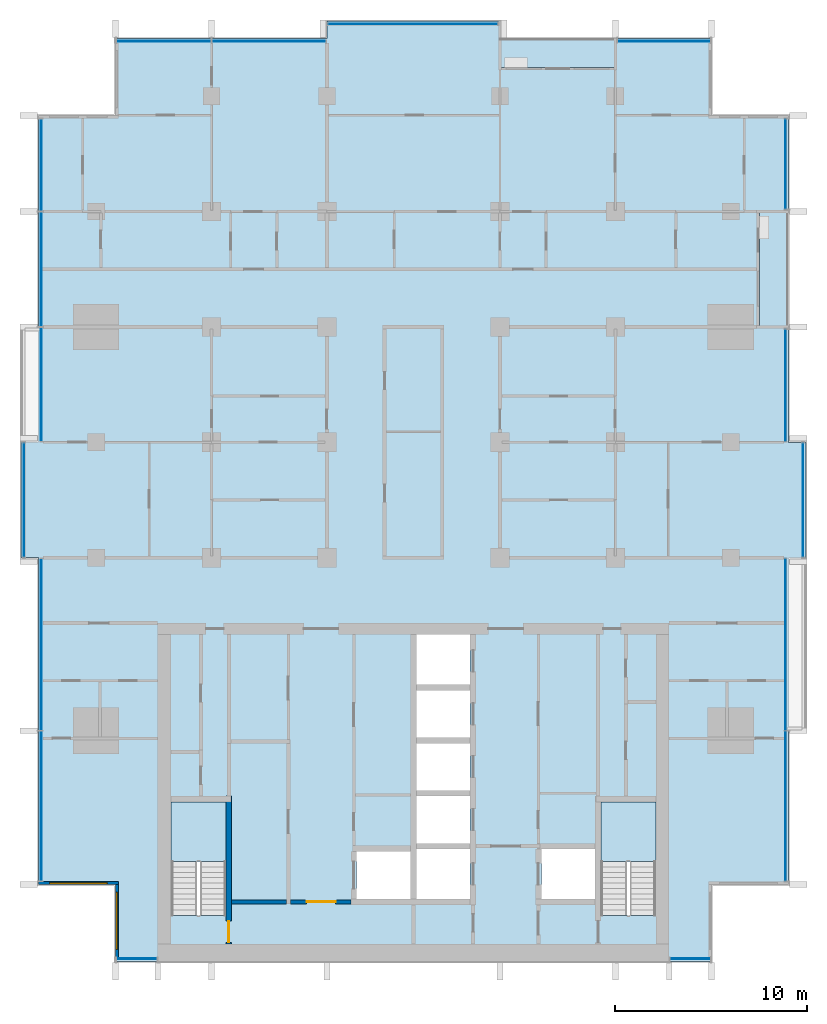
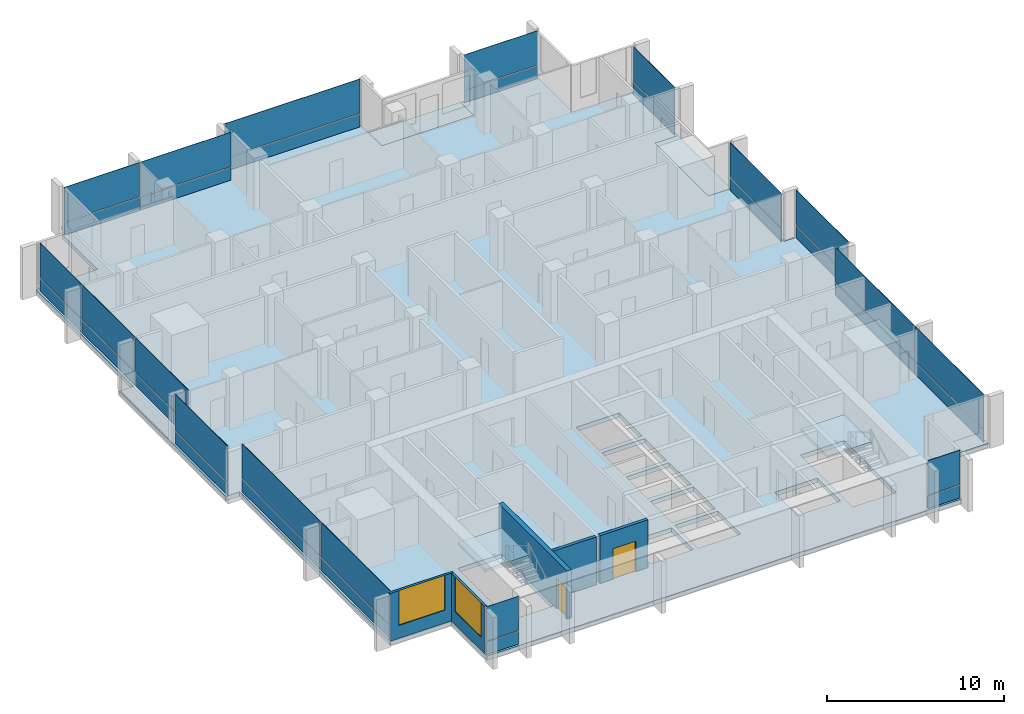
# One storey, part 6 of 17: 34 plates, 5 slabs, 5 walls, 2 doors, 2 windows, 4 openings, 14 elements without a shape of their own.
"""IFC4 building model written with IfcOpenShell, lengths in metres."""

import ifcopenshell
import ifcopenshell.guid

model = None  # the IFC model being written
_history = None  # IfcOwnerHistory: only IFC2X3 demands one
_inside = {}  # id of a spatial element -> (the spatial element, [elements in it])
_under = {}  # id of a project, library or spatial element -> (it, [spatial elements below it])
_declared = {}  # id of a project -> (the project, [libraries it declares])
_typed = {}  # id of a type object -> (the type object, [elements of that type])
_made_of = {}  # id of a material, layer set ... -> (it, [elements and type objects made of it])


def new_model(schema):
    """Start an empty IFC model of exactly this schema.

    Asked for "IFC4X3", IfcOpenShell would pick the latest addendum, in which some entities
    have other attributes; the version numbers below select the first issue.
    IFC2X3 requires an IfcOwnerHistory on every rooted entity: one is made here for all.
    """
    global model, _history
    if schema == "IFC4X3":
        model = ifcopenshell.file(schema_version=(4, 3, 0, 0))
    else:
        model = ifcopenshell.file(schema=schema)
    _inside.clear()
    _under.clear()
    _declared.clear()
    _typed.clear()
    _made_of.clear()
    _history = None
    if model.schema == "IFC2X3":
        org = make("IfcOrganization", Name="unknown")
        user = make(
            "IfcPersonAndOrganization",
            ThePerson=make("IfcPerson", FamilyName="unknown"),
            TheOrganization=org,
        )
        app = make(
            "IfcApplication",
            ApplicationDeveloper=org,
            Version="unknown",
            ApplicationFullName="unknown",
            ApplicationIdentifier="unknown",
        )
        _history = make(
            "IfcOwnerHistory",
            OwningUser=user,
            OwningApplication=app,
            ChangeAction="ADDED",
            CreationDate=0,
        )
    return model


def make(cls, **values):
    """One entity of the class cls with the attributes given. An attribute that is None is left unset."""
    return model.create_entity(
        cls, **{name: value for name, value in values.items() if value is not None}
    )


def rooted(cls, **values):
    """An entity with a GlobalId (a new one), such as an element, a storey or a relation."""
    return make(cls, GlobalId=ifcopenshell.guid.new(), OwnerHistory=_history, **values)


def si_unit(unit_type, name, prefix=None):
    """IfcSIUnit, for example si_unit("LENGTHUNIT", "METRE", prefix="MILLI")."""
    return make("IfcSIUnit", UnitType=unit_type, Prefix=prefix, Name=name)


def assignment(units):
    """IfcUnitAssignment: the units of a project."""
    return None if units is None else make("IfcUnitAssignment", Units=units)


def point(xyz):
    """IfcCartesianPoint."""
    return None if xyz is None else make("IfcCartesianPoint", Coordinates=xyz)


def direction(xyz):
    """IfcDirection."""
    return None if xyz is None else make("IfcDirection", DirectionRatios=xyz)


def frame(location, z_axis=None, x_axis=None):
    """IfcAxis2Placement3D, a coordinate frame: its origin and axes. An axis left out is left unset."""
    return make(
        "IfcAxis2Placement3D",
        Location=point(location),
        Axis=direction(z_axis),
        RefDirection=direction(x_axis),
    )


def frame_2d(location, x_axis=None):
    """IfcAxis2Placement2D, a coordinate frame in the plane: its origin and x axis."""
    return make(
        "IfcAxis2Placement2D", Location=point(location), RefDirection=direction(x_axis)
    )


def origin():
    """The frame at (0, 0, 0) with its axes left unset."""
    return frame((0.0, 0.0, 0.0))


def origin_2d():
    """The frame at (0, 0) in the plane with its x axis left unset."""
    return frame_2d((0.0, 0.0))


def place(relative_to, where):
    """IfcLocalPlacement: puts the frame where relative to a parent placement (None: the world)."""
    return make(
        "IfcLocalPlacement", PlacementRelTo=relative_to, RelativePlacement=where
    )


def context(
    kind, dimensions, precision=None, world=None, true_north=None, identifier=None
):
    """IfcGeometricRepresentationContext, for example the 3D "Model" context."""
    return make(
        "IfcGeometricRepresentationContext",
        ContextIdentifier=identifier,
        ContextType=kind,
        CoordinateSpaceDimension=dimensions,
        Precision=precision,
        WorldCoordinateSystem=world,
        TrueNorth=true_north,
    )


def subcontext(parent, identifier, kind, view, scale=None):
    """IfcGeometricRepresentationSubContext, for example "Body" below "Model"."""
    return make(
        "IfcGeometricRepresentationSubContext",
        ContextIdentifier=identifier,
        ContextType=kind,
        ParentContext=parent,
        TargetScale=scale,
        TargetView=view,
    )


def project(units=None, contexts=None):
    """IfcProject with its units and contexts."""
    return rooted(
        "IfcProject",
        Name="project",
        RepresentationContexts=contexts,
        UnitsInContext=assignment(units),
    )


def spatial(cls, under=None, at=None, **own):
    """A site, building, storey or space (cls), placed at a placement, below another one or the project."""
    s = rooted(cls, ObjectPlacement=at, **own)
    if under is not None:
        _under.setdefault(under.id(), (under, []))[1].append(s)
    return s


def polyline(points):
    """IfcPolyline through the points."""
    return make("IfcPolyline", Points=[point(p) for p in points])


def profile(cls, at=None, kind="AREA", **sizes):
    """A parametric profile (cls). Its sizes go by their IFC names, for example OverallWidth=200.0."""
    return make(cls, ProfileType=kind, Position=at, **sizes)


def rectangle(**sizes):
    """IfcRectangleProfileDef."""
    return profile("IfcRectangleProfileDef", **sizes)


def outline(outer, holes=None, kind="AREA"):
    """IfcArbitraryClosedProfileDef: a profile drawn as a closed curve; with holes, ...WithVoids."""
    if holes is None:
        return make("IfcArbitraryClosedProfileDef", ProfileType=kind, OuterCurve=outer)
    return make(
        "IfcArbitraryProfileDefWithVoids",
        ProfileType=kind,
        OuterCurve=outer,
        InnerCurves=holes,
    )


def extrude(swept, where, along, depth):
    """IfcExtrudedAreaSolid: the profile swept, set in the frame where, extruded along a direction by depth."""
    return make(
        "IfcExtrudedAreaSolid",
        SweptArea=swept,
        Position=where,
        ExtrudedDirection=direction(along),
        Depth=depth,
    )


def shape(context_of_items, identifier, shape_type, items):
    """IfcShapeRepresentation: the items that make up one representation, for example the "Body"."""
    return make(
        "IfcShapeRepresentation",
        ContextOfItems=context_of_items,
        RepresentationIdentifier=identifier,
        RepresentationType=shape_type,
        Items=items,
    )


def material(Name=None, Category=None):
    """IfcMaterial."""
    return make("IfcMaterial", Name=Name, Category=Category)


def layer(
    of_material, thickness, ventilated=None, Name=None, Category=None, Priority=None
):
    """IfcMaterialLayer: one layer of a wall or slab, of a material (None: an air gap)."""
    return make(
        "IfcMaterialLayer",
        Material=of_material,
        LayerThickness=thickness,
        IsVentilated=ventilated,
        Name=Name,
        Category=Category,
        Priority=Priority,
    )


def layer_set(layers, Name=None):
    """IfcMaterialLayerSet."""
    return make("IfcMaterialLayerSet", MaterialLayers=layers, LayerSetName=Name)


def made_of(thing, what):
    """Note that an element or type object is made of a material, layer set ...; save() writes the relation."""
    if what is not None:
        _made_of.setdefault(what.id(), (what, []))[1].append(thing)
    return thing


def type_object(cls, material=None, **own):
    """A type object (cls), such as IfcWallType, which elements share."""
    return made_of(rooted(cls, **own), material)


def element(
    cls,
    number,
    at=None,
    inside=None,
    cuts=None,
    type_object=None,
    material=None,
    context=None,
    identifier="Body",
    shape_type=None,
    held_by="IfcProductDefinitionShape",
    body=None,
    shapes=None,
    **own,
):
    """One element of the class cls, such as IfcWall. Its Tag is "e" and its number.

    at: its placement. inside: the storey or other place that contains it. cuts: it is an
    opening in that element (IfcRelVoidsElement). A single representation is given by context,
    identifier, shape_type and body (its items); several are given by shapes. held_by: the class
    of the entity that holds the representations. save() writes the other relations.
    """
    e = rooted(cls, Tag="e%d" % number, ObjectPlacement=at, **own)
    if body is not None:
        shapes = [shape(context, identifier, shape_type, body)]
    if shapes is not None:
        e.Representation = make(held_by, Representations=shapes)
    if inside is not None:
        _inside.setdefault(inside.id(), (inside, []))[1].append(e)
    if cuts is not None:
        rooted(
            "IfcRelVoidsElement", RelatingBuildingElement=cuts, RelatedOpeningElement=e
        )
    if type_object is not None:
        _typed.setdefault(type_object.id(), (type_object, []))[1].append(e)
    return made_of(e, material)


def fill(opening, filler):
    """IfcRelFillsElement: the door or window that sits in an opening."""
    return rooted(
        "IfcRelFillsElement",
        RelatingOpeningElement=opening,
        RelatedBuildingElement=filler,
    )


def aggregate(whole, parts):
    """IfcRelAggregates: a whole, such as a stair, and the parts it consists of."""
    return rooted("IfcRelAggregates", RelatingObject=whole, RelatedObjects=parts)


def save(model, path):
    """Write the relations noted so far, then the file.

    IfcRelAggregates (storeys below a building ...), IfcRelContainedInSpatialStructure (elements
    in a storey), IfcRelDefinesByType, IfcRelAssociatesMaterial and IfcRelDeclares: one each for
    every whole, place, type object, material and project.
    """
    for whole, parts in _under.values():
        aggregate(whole, parts)
    for where, things in _inside.values():
        rooted(
            "IfcRelContainedInSpatialStructure",
            RelatedElements=things,
            RelatingStructure=where,
        )
    for kind, things in _typed.values():
        rooted("IfcRelDefinesByType", RelatedObjects=things, RelatingType=kind)
    for what, things in _made_of.values():
        rooted("IfcRelAssociatesMaterial", RelatedObjects=things, RelatingMaterial=what)
    for by, libraries in _declared.values():
        rooted("IfcRelDeclares", RelatingContext=by, RelatedDefinitions=libraries)
    model.write(path)


model = new_model("IFC4")

# Units and contexts
model_context = context("Model", 3, precision=1e-05, world=origin(), true_north=direction((0.0, 1.0)))
body_context = subcontext(model_context, "Body", "Model", "MODEL_VIEW")
ifc_project = project(units=[si_unit("LENGTHUNIT", "METRE"), si_unit("AREAUNIT", "SQUARE_METRE"), si_unit("VOLUMEUNIT", "CUBIC_METRE"), si_unit("PLANEANGLEUNIT", "RADIAN"), si_unit("MASSUNIT", "GRAM", prefix="KILO")], contexts=[model_context])

# Site, building, storey
site_placement = place(None, origin())
site = spatial("IfcSite", under=ifc_project, at=site_placement, CompositionType="ELEMENT")
building_placement = place(site_placement, origin())
building = spatial("IfcBuilding", under=site, at=building_placement, Name="Finial Court Residences", CompositionType="ELEMENT")
storey_placement = place(building_placement, frame((0.0, 0.0, 170.89990234375)))
storey = spatial("IfcBuildingStorey", under=building, at=storey_placement, Name="L42", CompositionType="ELEMENT", Elevation=170.89990234375)

# Slabs
ifc_material_1 = material(Name="Concrete C35/45", Category="concrete")
ifc_layer_1 = layer(ifc_material_1, 0.199951171875)
ifc_layer_set_1 = layer_set([ifc_layer_1], Name="Balcony slab, Concrete C35/45 200")
slab_type_1 = type_object("IfcSlabType", Name="Balcony slab, Concrete C35/45 200", PredefinedType="FLOOR", material=ifc_layer_set_1)
slab_1_placement = place(storey_placement, frame((0.0, 0.0, -0.199951171875)))
element("IfcSlab", 1, at=slab_1_placement, inside=storey, type_object=slab_type_1, Name="Balcony L42-N4", PredefinedType="FLOOR", context=body_context, shape_type="SweptSolid", body=[
    extrude(outline(polyline([(10.5, 21.0), (10.5, 22.5), (4.5, 22.5), (4.5, 21.0), (10.5, 21.0)])), origin(), (0.0, 0.0, 1.0), 0.199951171875),
])
slab_2_placement = place(storey_placement, frame((0.0, 0.0, -0.199951171875)))
element("IfcSlab", 2, at=slab_2_placement, inside=storey, type_object=slab_type_1, Name="Balcony L42-E5", PredefinedType="FLOOR", context=body_context, shape_type="SweptSolid", body=[
    extrude(outline(polyline([(19.5, 7.5), (19.5, 13.5), (18.0, 13.5), (18.0, 7.5), (19.5, 7.5)])), origin(), (0.0, 0.0, 1.0), 0.199951171875),
])

# Curtain wall, plates
ifc_material_2 = material(Name="Bronze anodised aluminium", Category="aluminium")
curtain_wall_type = type_object("IfcCurtainWallType", Name="Unitised curtain wall, upper zones", PredefinedType="NOTDEFINED", material=ifc_material_2)
curtain_wall_1_placement = place(storey_placement, origin())
curtain_wall_1 = element("IfcCurtainWall", 3, at=curtain_wall_1_placement, inside=storey, type_object=curtain_wall_type, Name="E-L42-CW-N1", PredefinedType="NOTDEFINED")
ifc_layer_2 = layer(ifc_material_2, 0.035888671875)
ifc_layer_set_2 = layer_set([ifc_layer_2], Name="CW2 spandrel panel 36")
plate_type_1 = type_object("IfcPlateType", Name="CW2 spandrel panel 36", PredefinedType="CURTAIN_PANEL", material=ifc_layer_set_2)
plate_1_placement = place(storey_placement, frame((-12.985107421875, 22.35009765625, 0.0), z_axis=(0.0, 0.0, 1.0), x_axis=(1.0, 0.0, 0.0)))
plate_1 = element("IfcPlate", 4, at=plate_1_placement, type_object=plate_type_1, Name="CW2 spandrel 1.1", PredefinedType="CURTAIN_PANEL", context=body_context, shape_type="SweptSolid", body=[
    extrude(rectangle(XDim=4.909912109375, YDim=0.035888671875, at=origin_2d()), origin(), (0.0, 0.0, 1.0), 0.8701171875),
])
plate_2_placement = place(storey_placement, frame((-7.514892578125, 22.35009765625, 0.0), z_axis=(0.0, 0.0, 1.0), x_axis=(1.0, 0.0, 0.0)))
plate_2 = element("IfcPlate", 5, at=plate_2_placement, type_object=plate_type_1, Name="CW2 spandrel 2.1", PredefinedType="CURTAIN_PANEL", context=body_context, shape_type="SweptSolid", body=[
    extrude(rectangle(XDim=5.909912109375, YDim=0.035888671875, at=origin_2d()), origin(), (0.0, 0.0, 1.0), 0.8701171875),
])

# Curtain wall, plate
curtain_wall_2_placement = place(storey_placement, origin())
curtain_wall_2 = element("IfcCurtainWall", 6, at=curtain_wall_2_placement, inside=storey, type_object=curtain_wall_type, Name="E-L42-CW-N2", PredefinedType="NOTDEFINED")
plate_3_placement = place(storey_placement, frame((-0.03759765625, 23.25, 0.0), z_axis=(0.0, 0.0, 1.0), x_axis=(1.0, 0.0, 0.0)))
plate_3 = element("IfcPlate", 7, at=plate_3_placement, type_object=plate_type_1, Name="CW2 spandrel 1.1", PredefinedType="CURTAIN_PANEL", context=body_context, shape_type="SweptSolid", body=[
    extrude(rectangle(XDim=8.804931640625, YDim=0.035888671875, at=origin_2d()), origin(), (0.0, 0.0, 1.0), 0.8701171875),
])

curtain_wall_3_placement = place(storey_placement, origin())
curtain_wall_3 = element("IfcCurtainWall", 8, at=curtain_wall_3_placement, inside=storey, type_object=curtain_wall_type, Name="E-L42-CW-N3", PredefinedType="NOTDEFINED")
plate_4_placement = place(storey_placement, frame((13.03759765625, 22.35009765625, 0.0), z_axis=(0.0, 0.0, 1.0), x_axis=(1.0, 0.0, 0.0)))
plate_4 = element("IfcPlate", 9, at=plate_4_placement, type_object=plate_type_1, Name="CW2 spandrel 1.1", PredefinedType="CURTAIN_PANEL", context=body_context, shape_type="SweptSolid", body=[
    extrude(rectangle(XDim=4.804931640625, YDim=0.035888671875, at=origin_2d()), origin(), (0.0, 0.0, 1.0), 0.8701171875),
])

# Curtain wall, plates
curtain_wall_4_placement = place(storey_placement, origin())
curtain_wall_4 = element("IfcCurtainWall", 10, at=curtain_wall_4_placement, inside=storey, type_object=curtain_wall_type, Name="E-L42-CW-E4", PredefinedType="NOTDEFINED")
plate_5_placement = place(storey_placement, frame((19.35009765625, -17.409912109375, 0.0), z_axis=(0.0, 0.0, 1.0), x_axis=(0.0, 1.0, 0.0)))
plate_5 = element("IfcPlate", 11, at=plate_5_placement, type_object=plate_type_1, Name="CW2 spandrel 1.1", PredefinedType="CURTAIN_PANEL", context=body_context, shape_type="SweptSolid", body=[
    extrude(rectangle(XDim=7.760009765625, YDim=0.035888671875, at=origin_2d()), origin(), (0.0, 0.0, 1.0), 0.8701171875),
])
plate_6_placement = place(storey_placement, frame((19.35009765625, -9.014892578125, 0.0), z_axis=(0.0, 0.0, 1.0), x_axis=(0.0, 1.0, 0.0)))
plate_6 = element("IfcPlate", 12, at=plate_6_placement, type_object=plate_type_1, Name="CW2 spandrel 2.1", PredefinedType="CURTAIN_PANEL", context=body_context, shape_type="SweptSolid", body=[
    extrude(rectangle(XDim=8.909912109375, YDim=0.035888671875, at=origin_2d()), origin(), (0.0, 0.0, 1.0), 0.8701171875),
])

# Curtain wall, plate
curtain_wall_5_placement = place(storey_placement, origin())
curtain_wall_5 = element("IfcCurtainWall", 13, at=curtain_wall_5_placement, inside=storey, type_object=curtain_wall_type, Name="E-L42-CW-E5", PredefinedType="NOTDEFINED")
plate_7_placement = place(storey_placement, frame((20.25, -1.5, 0.0), z_axis=(0.0, 0.0, 1.0), x_axis=(0.0, 1.0, 0.0)))
plate_7 = element("IfcPlate", 14, at=plate_7_placement, type_object=plate_type_1, Name="CW2 spandrel 1.1", PredefinedType="CURTAIN_PANEL", context=body_context, shape_type="SweptSolid", body=[
    extrude(rectangle(XDim=5.8798828125, YDim=0.035888671875, at=origin_2d()), origin(), (0.0, 0.0, 1.0), 0.8701171875),
])

curtain_wall_6_placement = place(storey_placement, origin())
curtain_wall_6 = element("IfcCurtainWall", 15, at=curtain_wall_6_placement, inside=storey, type_object=curtain_wall_type, Name="E-L42-CW-E6", PredefinedType="NOTDEFINED")
plate_8_placement = place(storey_placement, frame((19.35009765625, 4.46240234375, 0.0), z_axis=(0.0, 0.0, 1.0), x_axis=(0.0, 1.0, 0.0)))
plate_8 = element("IfcPlate", 16, at=plate_8_placement, type_object=plate_type_1, Name="CW2 spandrel 1.1", PredefinedType="CURTAIN_PANEL", context=body_context, shape_type="SweptSolid", body=[
    extrude(rectangle(XDim=5.804931640625, YDim=0.035888671875, at=origin_2d()), origin(), (0.0, 0.0, 1.0), 0.8701171875),
])

curtain_wall_7_placement = place(storey_placement, origin())
curtain_wall_7 = element("IfcCurtainWall", 17, at=curtain_wall_7_placement, inside=storey, type_object=curtain_wall_type, Name="E-L42-CW-E7", PredefinedType="NOTDEFINED")
plate_9_placement = place(storey_placement, frame((19.35009765625, 15.96240234375, 0.0), z_axis=(0.0, 0.0, 1.0), x_axis=(0.0, 1.0, 0.0)))
plate_9 = element("IfcPlate", 18, at=plate_9_placement, type_object=plate_type_1, Name="CW2 spandrel 1.1", PredefinedType="CURTAIN_PANEL", context=body_context, shape_type="SweptSolid", body=[
    extrude(rectangle(XDim=4.655029296875, YDim=0.035888671875, at=origin_2d()), origin(), (0.0, 0.0, 1.0), 0.8701171875),
])

curtain_wall_8_placement = place(storey_placement, origin())
curtain_wall_8 = element("IfcCurtainWall", 19, at=curtain_wall_8_placement, inside=storey, type_object=curtain_wall_type, Name="E-L42-CW-S8", PredefinedType="NOTDEFINED")
plate_10_placement = place(storey_placement, frame((-14.39990234375, -25.35009765625, 0.0), z_axis=(0.0, 0.0, 1.0), x_axis=(1.0, 0.0, 0.0)))
plate_10 = element("IfcPlate", 20, at=plate_10_placement, type_object=plate_type_1, Name="CW2 spandrel 1.1", PredefinedType="CURTAIN_PANEL", context=body_context, shape_type="SweptSolid", body=[
    extrude(rectangle(XDim=2.080078125, YDim=0.035888671875, at=origin_2d()), origin(), (0.0, 0.0, 1.0), 0.8701171875),
])

curtain_wall_9_placement = place(storey_placement, origin())
curtain_wall_9 = element("IfcCurtainWall", 21, at=curtain_wall_9_placement, inside=storey, type_object=curtain_wall_type, Name="E-L42-CW-S9", PredefinedType="NOTDEFINED")
plate_11_placement = place(storey_placement, frame((14.39990234375, -25.35009765625, 0.0), z_axis=(0.0, 0.0, 1.0), x_axis=(1.0, 0.0, 0.0)))
plate_11 = element("IfcPlate", 22, at=plate_11_placement, type_object=plate_type_1, Name="CW2 spandrel 1.1", PredefinedType="CURTAIN_PANEL", context=body_context, shape_type="SweptSolid", body=[
    extrude(rectangle(XDim=2.080078125, YDim=0.035888671875, at=origin_2d()), origin(), (0.0, 0.0, 1.0), 0.8701171875),
])

# Curtain wall, plates
curtain_wall_10_placement = place(storey_placement, origin())
curtain_wall_10 = element("IfcCurtainWall", 23, at=curtain_wall_10_placement, inside=storey, type_object=curtain_wall_type, Name="E-L42-CW-W10", PredefinedType="NOTDEFINED")
plate_12_placement = place(storey_placement, frame((-19.35009765625, -17.409912109375, 0.0), z_axis=(0.0, 0.0, 1.0), x_axis=(0.0, 1.0, 0.0)))
plate_12 = element("IfcPlate", 24, at=plate_12_placement, type_object=plate_type_1, Name="CW2 spandrel 1.1", PredefinedType="CURTAIN_PANEL", context=body_context, shape_type="SweptSolid", body=[
    extrude(rectangle(XDim=7.760009765625, YDim=0.035888671875, at=origin_2d()), origin(), (0.0, 0.0, 1.0), 0.8701171875),
])
plate_13_placement = place(storey_placement, frame((-19.35009765625, -9.014892578125, 0.0), z_axis=(0.0, 0.0, 1.0), x_axis=(0.0, 1.0, 0.0)))
plate_13 = element("IfcPlate", 25, at=plate_13_placement, type_object=plate_type_1, Name="CW2 spandrel 2.1", PredefinedType="CURTAIN_PANEL", context=body_context, shape_type="SweptSolid", body=[
    extrude(rectangle(XDim=8.909912109375, YDim=0.035888671875, at=origin_2d()), origin(), (0.0, 0.0, 1.0), 0.8701171875),
])

# Curtain wall, plate
curtain_wall_11_placement = place(storey_placement, origin())
curtain_wall_11 = element("IfcCurtainWall", 26, at=curtain_wall_11_placement, inside=storey, type_object=curtain_wall_type, Name="E-L42-CW-W11", PredefinedType="NOTDEFINED")
plate_14_placement = place(storey_placement, frame((-20.25, -1.5, 0.0), z_axis=(0.0, 0.0, 1.0), x_axis=(0.0, 1.0, 0.0)))
plate_14 = element("IfcPlate", 27, at=plate_14_placement, type_object=plate_type_1, Name="CW2 spandrel 1.1", PredefinedType="CURTAIN_PANEL", context=body_context, shape_type="SweptSolid", body=[
    extrude(rectangle(XDim=5.8798828125, YDim=0.035888671875, at=origin_2d()), origin(), (0.0, 0.0, 1.0), 0.8701171875),
])

# Curtain wall, plates
curtain_wall_12_placement = place(storey_placement, origin())
curtain_wall_12 = element("IfcCurtainWall", 28, at=curtain_wall_12_placement, inside=storey, type_object=curtain_wall_type, Name="E-L42-CW-W12", PredefinedType="NOTDEFINED")
plate_15_placement = place(storey_placement, frame((-19.35009765625, 4.514892578125, 0.0), z_axis=(0.0, 0.0, 1.0), x_axis=(0.0, 1.0, 0.0)))
plate_15 = element("IfcPlate", 29, at=plate_15_placement, type_object=plate_type_1, Name="CW2 spandrel 1.1", PredefinedType="CURTAIN_PANEL", context=body_context, shape_type="SweptSolid", body=[
    extrude(rectangle(XDim=5.909912109375, YDim=0.035888671875, at=origin_2d()), origin(), (0.0, 0.0, 1.0), 0.8701171875),
])
plate_16_placement = place(storey_placement, frame((-19.35009765625, 10.5, 0.0), z_axis=(0.0, 0.0, 1.0), x_axis=(0.0, 1.0, 0.0)))
plate_16 = element("IfcPlate", 30, at=plate_16_placement, type_object=plate_type_1, Name="CW2 spandrel 2.1", PredefinedType="CURTAIN_PANEL", context=body_context, shape_type="SweptSolid", body=[
    extrude(rectangle(XDim=5.93994140625, YDim=0.035888671875, at=origin_2d()), origin(), (0.0, 0.0, 1.0), 0.8701171875),
])
plate_17_placement = place(storey_placement, frame((-19.35009765625, 15.909912109375, 0.0), z_axis=(0.0, 0.0, 1.0), x_axis=(0.0, 1.0, 0.0)))
plate_17 = element("IfcPlate", 31, at=plate_17_placement, type_object=plate_type_1, Name="CW2 spandrel 3.1", PredefinedType="CURTAIN_PANEL", context=body_context, shape_type="SweptSolid", body=[
    extrude(rectangle(XDim=4.760009765625, YDim=0.035888671875, at=origin_2d()), origin(), (0.0, 0.0, 1.0), 0.8701171875),
])

# Plate
ifc_material_3 = material(Name="Clear low-e glass", Category="glass")
ifc_layer_3 = layer(ifc_material_3, 0.030029296875)
ifc_layer_set_3 = layer_set([ifc_layer_3], Name="CW2 vision glass 30")
plate_type_2 = type_object("IfcPlateType", Name="CW2 vision glass 30", PredefinedType="CURTAIN_PANEL", material=ifc_layer_set_3)
plate_18_placement = place(storey_placement, frame((-12.985107421875, 22.35009765625, 0.929931640625), z_axis=(0.0, 0.0, 1.0), x_axis=(1.0, 0.0, 0.0)))
plate_18 = element("IfcPlate", 32, at=plate_18_placement, type_object=plate_type_2, Name="CW2 glass 1.2", PredefinedType="CURTAIN_PANEL", context=body_context, shape_type="SweptSolid", body=[
    extrude(rectangle(XDim=4.909912109375, YDim=0.030029296875, at=origin_2d()), origin(), (0.0, 0.0, 1.0), 2.3701171875),
])

plate_19_placement = place(storey_placement, frame((-7.514892578125, 22.35009765625, 0.929931640625), z_axis=(0.0, 0.0, 1.0), x_axis=(1.0, 0.0, 0.0)))
plate_19 = element("IfcPlate", 33, at=plate_19_placement, type_object=plate_type_2, Name="CW2 glass 2.2", PredefinedType="CURTAIN_PANEL", context=body_context, shape_type="SweptSolid", body=[
    extrude(rectangle(XDim=5.909912109375, YDim=0.030029296875, at=origin_2d()), origin(), (0.0, 0.0, 1.0), 2.3701171875),
])

aggregate(curtain_wall_1, [plate_1, plate_18, plate_2, plate_19])

plate_20_placement = place(storey_placement, frame((-0.03759765625, 23.25, 0.929931640625), z_axis=(0.0, 0.0, 1.0), x_axis=(1.0, 0.0, 0.0)))
plate_20 = element("IfcPlate", 34, at=plate_20_placement, type_object=plate_type_2, Name="CW2 glass 1.2", PredefinedType="CURTAIN_PANEL", context=body_context, shape_type="SweptSolid", body=[
    extrude(rectangle(XDim=8.804931640625, YDim=0.030029296875, at=origin_2d()), origin(), (0.0, 0.0, 1.0), 2.3701171875),
])

aggregate(curtain_wall_2, [plate_3, plate_20])

plate_21_placement = place(storey_placement, frame((13.03759765625, 22.35009765625, 0.929931640625), z_axis=(0.0, 0.0, 1.0), x_axis=(1.0, 0.0, 0.0)))
plate_21 = element("IfcPlate", 35, at=plate_21_placement, type_object=plate_type_2, Name="CW2 glass 1.2", PredefinedType="CURTAIN_PANEL", context=body_context, shape_type="SweptSolid", body=[
    extrude(rectangle(XDim=4.804931640625, YDim=0.030029296875, at=origin_2d()), origin(), (0.0, 0.0, 1.0), 2.3701171875),
])

aggregate(curtain_wall_3, [plate_4, plate_21])

plate_22_placement = place(storey_placement, frame((19.35009765625, -17.409912109375, 0.929931640625), z_axis=(0.0, 0.0, 1.0), x_axis=(0.0, 1.0, 0.0)))
plate_22 = element("IfcPlate", 36, at=plate_22_placement, type_object=plate_type_2, Name="CW2 glass 1.2", PredefinedType="CURTAIN_PANEL", context=body_context, shape_type="SweptSolid", body=[
    extrude(rectangle(XDim=7.760009765625, YDim=0.030029296875, at=origin_2d()), origin(), (0.0, 0.0, 1.0), 2.3701171875),
])

plate_23_placement = place(storey_placement, frame((19.35009765625, -9.014892578125, 0.929931640625), z_axis=(0.0, 0.0, 1.0), x_axis=(0.0, 1.0, 0.0)))
plate_23 = element("IfcPlate", 37, at=plate_23_placement, type_object=plate_type_2, Name="CW2 glass 2.2", PredefinedType="CURTAIN_PANEL", context=body_context, shape_type="SweptSolid", body=[
    extrude(rectangle(XDim=8.909912109375, YDim=0.030029296875, at=origin_2d()), origin(), (0.0, 0.0, 1.0), 2.3701171875),
])

aggregate(curtain_wall_4, [plate_5, plate_22, plate_6, plate_23])

plate_24_placement = place(storey_placement, frame((20.25, -1.5, 0.929931640625), z_axis=(0.0, 0.0, 1.0), x_axis=(0.0, 1.0, 0.0)))
plate_24 = element("IfcPlate", 38, at=plate_24_placement, type_object=plate_type_2, Name="CW2 glass 1.2", PredefinedType="CURTAIN_PANEL", context=body_context, shape_type="SweptSolid", body=[
    extrude(rectangle(XDim=5.8798828125, YDim=0.030029296875, at=origin_2d()), origin(), (0.0, 0.0, 1.0), 2.3701171875),
])

aggregate(curtain_wall_5, [plate_7, plate_24])

plate_25_placement = place(storey_placement, frame((19.35009765625, 4.46240234375, 0.929931640625), z_axis=(0.0, 0.0, 1.0), x_axis=(0.0, 1.0, 0.0)))
plate_25 = element("IfcPlate", 39, at=plate_25_placement, type_object=plate_type_2, Name="CW2 glass 1.2", PredefinedType="CURTAIN_PANEL", context=body_context, shape_type="SweptSolid", body=[
    extrude(rectangle(XDim=5.804931640625, YDim=0.030029296875, at=origin_2d()), origin(), (0.0, 0.0, 1.0), 2.3701171875),
])

aggregate(curtain_wall_6, [plate_8, plate_25])

plate_26_placement = place(storey_placement, frame((19.35009765625, 15.96240234375, 0.929931640625), z_axis=(0.0, 0.0, 1.0), x_axis=(0.0, 1.0, 0.0)))
plate_26 = element("IfcPlate", 40, at=plate_26_placement, type_object=plate_type_2, Name="CW2 glass 1.2", PredefinedType="CURTAIN_PANEL", context=body_context, shape_type="SweptSolid", body=[
    extrude(rectangle(XDim=4.655029296875, YDim=0.030029296875, at=origin_2d()), origin(), (0.0, 0.0, 1.0), 2.3701171875),
])

aggregate(curtain_wall_7, [plate_9, plate_26])

plate_27_placement = place(storey_placement, frame((-14.39990234375, -25.35009765625, 0.929931640625), z_axis=(0.0, 0.0, 1.0), x_axis=(1.0, 0.0, 0.0)))
plate_27 = element("IfcPlate", 41, at=plate_27_placement, type_object=plate_type_2, Name="CW2 glass 1.2", PredefinedType="CURTAIN_PANEL", context=body_context, shape_type="SweptSolid", body=[
    extrude(rectangle(XDim=2.080078125, YDim=0.030029296875, at=origin_2d()), origin(), (0.0, 0.0, 1.0), 2.3701171875),
])

aggregate(curtain_wall_8, [plate_10, plate_27])

plate_28_placement = place(storey_placement, frame((14.39990234375, -25.35009765625, 0.929931640625), z_axis=(0.0, 0.0, 1.0), x_axis=(1.0, 0.0, 0.0)))
plate_28 = element("IfcPlate", 42, at=plate_28_placement, type_object=plate_type_2, Name="CW2 glass 1.2", PredefinedType="CURTAIN_PANEL", context=body_context, shape_type="SweptSolid", body=[
    extrude(rectangle(XDim=2.080078125, YDim=0.030029296875, at=origin_2d()), origin(), (0.0, 0.0, 1.0), 2.3701171875),
])

aggregate(curtain_wall_9, [plate_11, plate_28])

plate_29_placement = place(storey_placement, frame((-19.35009765625, -17.409912109375, 0.929931640625), z_axis=(0.0, 0.0, 1.0), x_axis=(0.0, 1.0, 0.0)))
plate_29 = element("IfcPlate", 43, at=plate_29_placement, type_object=plate_type_2, Name="CW2 glass 1.2", PredefinedType="CURTAIN_PANEL", context=body_context, shape_type="SweptSolid", body=[
    extrude(rectangle(XDim=7.760009765625, YDim=0.030029296875, at=origin_2d()), origin(), (0.0, 0.0, 1.0), 2.3701171875),
])

plate_30_placement = place(storey_placement, frame((-19.35009765625, -9.014892578125, 0.929931640625), z_axis=(0.0, 0.0, 1.0), x_axis=(0.0, 1.0, 0.0)))
plate_30 = element("IfcPlate", 44, at=plate_30_placement, type_object=plate_type_2, Name="CW2 glass 2.2", PredefinedType="CURTAIN_PANEL", context=body_context, shape_type="SweptSolid", body=[
    extrude(rectangle(XDim=8.909912109375, YDim=0.030029296875, at=origin_2d()), origin(), (0.0, 0.0, 1.0), 2.3701171875),
])

aggregate(curtain_wall_10, [plate_12, plate_29, plate_13, plate_30])

plate_31_placement = place(storey_placement, frame((-20.25, -1.5, 0.93017578125), z_axis=(0.0, 0.0, 1.0), x_axis=(0.0, 1.0, 0.0)))
plate_31 = element("IfcPlate", 45, at=plate_31_placement, type_object=plate_type_2, Name="CW2 glass 1.2", PredefinedType="CURTAIN_PANEL", context=body_context, shape_type="SweptSolid", body=[
    extrude(rectangle(XDim=5.8798828125, YDim=0.030029296875, at=origin_2d()), origin(), (0.0, 0.0, 1.0), 2.469970703125),
])

aggregate(curtain_wall_11, [plate_14, plate_31])

plate_32_placement = place(storey_placement, frame((-19.35009765625, 4.514892578125, 0.929931640625), z_axis=(0.0, 0.0, 1.0), x_axis=(0.0, 1.0, 0.0)))
plate_32 = element("IfcPlate", 46, at=plate_32_placement, type_object=plate_type_2, Name="CW2 glass 1.2", PredefinedType="CURTAIN_PANEL", context=body_context, shape_type="SweptSolid", body=[
    extrude(rectangle(XDim=5.909912109375, YDim=0.030029296875, at=origin_2d()), origin(), (0.0, 0.0, 1.0), 2.3701171875),
])

plate_33_placement = place(storey_placement, frame((-19.35009765625, 10.5, 0.929931640625), z_axis=(0.0, 0.0, 1.0), x_axis=(0.0, 1.0, 0.0)))
plate_33 = element("IfcPlate", 47, at=plate_33_placement, type_object=plate_type_2, Name="CW2 glass 2.2", PredefinedType="CURTAIN_PANEL", context=body_context, shape_type="SweptSolid", body=[
    extrude(rectangle(XDim=5.93994140625, YDim=0.030029296875, at=origin_2d()), origin(), (0.0, 0.0, 1.0), 2.3701171875),
])

plate_34_placement = place(storey_placement, frame((-19.35009765625, 15.909912109375, 0.929931640625), z_axis=(0.0, 0.0, 1.0), x_axis=(0.0, 1.0, 0.0)))
plate_34 = element("IfcPlate", 48, at=plate_34_placement, type_object=plate_type_2, Name="CW2 glass 3.2", PredefinedType="CURTAIN_PANEL", context=body_context, shape_type="SweptSolid", body=[
    extrude(rectangle(XDim=4.760009765625, YDim=0.030029296875, at=origin_2d()), origin(), (0.0, 0.0, 1.0), 2.3701171875),
])

aggregate(curtain_wall_12, [plate_15, plate_32, plate_16, plate_33, plate_17, plate_34])

# Stair, slab
ifc_material_4 = material(Name="Concrete C50/60", Category="concrete")
stair_type = type_object("IfcStairType", Name="Exit stair 22 risers of 163.6 mm", PredefinedType="HALF_TURN_STAIR", material=ifc_material_4)
stair_1_placement = place(storey_placement, origin())
stair_1 = element("IfcStair", 49, at=stair_1_placement, inside=storey, type_object=stair_type, Name="L42 Exit stair ST-1", PredefinedType="HALF_TURN_STAIR")
ifc_layer_4 = layer(ifc_material_4, 0.199951171875)
ifc_layer_set_4 = layer_set([ifc_layer_4], Name="Exit stair landing")
slab_type_2 = type_object("IfcSlabType", Name="Exit stair landing", PredefinedType="LANDING", material=ifc_layer_set_4)
slab_3_placement = place(storey_placement, frame((0.0, 0.0, 1.60009765625)))
slab_3 = element("IfcSlab", 50, at=slab_3_placement, type_object=slab_type_2, Name="ST-1 landing 1", PredefinedType="LANDING", context=body_context, shape_type="SweptSolid", body=[
    extrude(outline(polyline([(-9.75, -20.300048828125), (-9.75, -17.199951171875), (-12.60009765625, -17.199951171875), (-12.60009765625, -20.300048828125), (-9.75, -20.300048828125)])), origin(), (0.0, 0.0, 1.0), 0.199951171875),
])
aggregate(stair_1, [slab_3])

stair_2_placement = place(storey_placement, origin())
stair_2 = element("IfcStair", 51, at=stair_2_placement, inside=storey, type_object=stair_type, Name="L42 Exit stair ST-2", PredefinedType="HALF_TURN_STAIR")
slab_4_placement = place(storey_placement, frame((0.0, 0.0, 1.60009765625)))
slab_4 = element("IfcSlab", 52, at=slab_4_placement, type_object=slab_type_2, Name="ST-2 landing 1", PredefinedType="LANDING", context=body_context, shape_type="SweptSolid", body=[
    extrude(outline(polyline([(12.60009765625, -20.300048828125), (12.60009765625, -17.199951171875), (9.75, -17.199951171875), (9.75, -20.300048828125), (12.60009765625, -20.300048828125)])), origin(), (0.0, 0.0, 1.0), 0.199951171875),
])
aggregate(stair_2, [slab_4])

# Slab
ifc_material_5 = material(Name="Concrete C40/50", Category="concrete")
ifc_layer_5 = layer(ifc_material_5, 0.300048828125)
ifc_layer_set_5 = layer_set([ifc_layer_5], Name="Flat plate slab 300 Concrete C40/50")
slab_type_3 = type_object("IfcSlabType", Name="Flat plate slab 300 Concrete C40/50", PredefinedType="FLOOR", material=ifc_layer_set_5)
slab_5_placement = place(storey_placement, frame((0.0, 0.0, -0.2998046875)))
element("IfcSlab", 53, at=slab_5_placement, inside=storey, type_object=slab_type_3, Name="S:SLAB:L42", PredefinedType="FLOOR", context=body_context, shape_type="SweptSolid", body=[
    extrude(outline(polyline([(20.39990234375, -13.5), (19.5, -13.5), (19.5, -21.5), (15.5, -21.5), (15.5, -25.5), (-15.5, -25.5), (-15.5, -21.5), (-19.5, -21.5), (-19.5, -4.5), (-20.39990234375, -4.5), (-20.39990234375, 1.5), (-20.39990234375, 7.5), (-19.5, 7.5), (-19.5, 18.5), (-15.5, 18.5), (-15.5, 22.5), (-4.5, 22.5), (-4.5, 23.39990234375), (4.5, 23.39990234375), (4.5, 22.5), (4.5, 21.0), (10.5, 21.0), (10.5, 22.5), (15.5, 22.5), (15.5, 18.5), (19.5, 18.5), (19.5, 13.5), (18.0, 13.5), (18.0, 7.5), (19.5, 7.5), (19.5, 1.5), (20.39990234375, 1.5), (20.39990234375, -4.5), (20.39990234375, -13.5)]), holes=[polyline([(-0.14990234375, -19.77001953125), (-2.949951171875, -19.77001953125), (-2.949951171875, -22.25), (-0.14990234375, -22.25), (-0.14990234375, -19.77001953125)]), polyline([(2.949951171875, -19.64990234375), (0.14990234375, -19.64990234375), (0.14990234375, -22.25), (2.949951171875, -22.25), (2.949951171875, -19.64990234375)]), polyline([(9.449951171875, -19.64990234375), (6.64990234375, -19.64990234375), (6.64990234375, -22.25), (9.449951171875, -22.25), (9.449951171875, -19.64990234375)]), polyline([(-12.60009765625, -17.199951171875), (-12.60009765625, -23.09912109375), (-9.75, -23.09912109375), (-9.75, -17.199951171875), (-12.60009765625, -17.199951171875)]), polyline([(9.75, -17.199951171875), (9.75, -23.09912109375), (12.60009765625, -23.09912109375), (12.60009765625, -17.199951171875), (9.75, -17.199951171875)]), polyline([(2.949951171875, -16.89990234375), (0.14990234375, -16.89990234375), (0.14990234375, -19.35009765625), (2.949951171875, -19.35009765625), (2.949951171875, -16.89990234375)]), polyline([(2.949951171875, -14.14990234375), (0.14990234375, -14.14990234375), (0.14990234375, -16.60009765625), (2.949951171875, -16.60009765625), (2.949951171875, -14.14990234375)]), polyline([(2.949951171875, -13.85009765625), (2.949951171875, -11.39990234375), (0.14990234375, -11.39990234375), (0.14990234375, -13.85009765625), (2.949951171875, -13.85009765625)]), polyline([(2.949951171875, -11.10009765625), (2.949951171875, -8.5), (0.14990234375, -8.5), (0.14990234375, -11.10009765625), (2.949951171875, -11.10009765625)])]), origin(), (0.0, 0.0, 1.0), 0.2998046875),
])

# Wall, opening, door
ifc_material_6 = material(Name="Concrete C70/85", Category="concrete")
ifc_layer_6 = layer(ifc_material_6, 0.300048828125)
ifc_layer_set_6 = layer_set([ifc_layer_6], Name="Lift shaft and stair wall 300 Concrete C70/85")
wall_type_1 = type_object("IfcWallType", Name="Lift shaft and stair wall 300 Concrete C70/85", PredefinedType="SHEAR", material=ifc_layer_set_6)
wall_1_placement = place(storey_placement, frame((-9.60009765625, -24.60009765625, 0.0), z_axis=(0.0, 0.0, 1.0), x_axis=(0.0, 1.0, 0.0)))
wall_1 = element("IfcWall", 54, at=wall_1_placement, inside=storey, type_object=wall_type_1, Name="Core wall L42-21", PredefinedType="SHEAR", context=body_context, shape_type="SweptSolid", body=[
    extrude(rectangle(XDim=7.7001953125, YDim=0.300048828125, at=frame_2d((3.85009765625, 0.0))), origin(), (0.0, 0.0, 1.0), 3.300048828125),
])
opening_1_placement = place(wall_1_placement, frame((0.10009765625, 0.0, 0.0)))
opening_1 = element("IfcOpeningElement", 55, at=opening_1_placement, cuts=wall_1, Name="Opening L42-C19", PredefinedType="OPENING", context=body_context, shape_type="SweptSolid", body=[
    extrude(rectangle(XDim=1.10009765625, YDim=2.10009765625, at=frame_2d((0.550048828125, 1.050048828125))), frame((0.0, 0.159912109375, 0.0), z_axis=(0.0, -1.0, 0.0), x_axis=(1.0, 0.0, 0.0)), (0.0, 0.0, 1.0), 0.320068359375),
])
ifc_material_7 = material(Name="Steel fire door", Category="steel")
door_type_1 = type_object("IfcDoorType", Name="Stair door 1100 x 2100 EI 90", OperationType="NOTDEFINED", PredefinedType="DOOR", material=ifc_material_7)
door_1_placement = place(opening_1_placement, origin())
door_1 = element("IfcDoor", 56, at=door_1_placement, inside=storey, type_object=door_type_1, Name="Stair door L42-C19", OperationType="SINGLE_SWING_LEFT", OverallHeight=2.10009765625, OverallWidth=1.10009765625, PredefinedType="DOOR", context=body_context, shape_type="SweptSolid", body=[
    extrude(rectangle(XDim=1.10009765625, YDim=2.10009765625, at=frame_2d((0.550048828125, 1.050048828125))), frame((0.0, 0.02490234375, 0.0), z_axis=(0.0, -1.0, 0.0), x_axis=(1.0, 0.0, 0.0)), (0.0, 0.0, 1.0), 0.050048828125),
])
fill(opening_1, door_1)

# Wall, opening, window
ifc_material_8 = material(Name="Natural limestone", Category="masonry")
ifc_layer_7 = layer(ifc_material_8, 0.14990234375)
ifc_layer_set_7 = layer_set([ifc_layer_7], Name="Limestone clad wall 150")
wall_type_2 = type_object("IfcWallType", Name="Limestone clad wall 150", PredefinedType="SOLIDWALL", material=ifc_layer_set_7)
wall_2_placement = place(storey_placement, frame((-15.425048828125, -25.262451171875, 0.0), z_axis=(0.0, 0.0, 1.0), x_axis=(0.0, 1.0, 0.0)))
wall_2 = element("IfcWall", 57, at=wall_2_placement, inside=storey, type_object=wall_type_2, Name="E-L42-NWW13", PredefinedType="SOLIDWALL", context=body_context, shape_type="SweptSolid", body=[
    extrude(rectangle(XDim=3.762451171875, YDim=0.14990234375, at=frame_2d((1.88134765625, 0.0))), origin(), (0.0, 0.0, 1.0), 3.300048828125),
])
opening_2_placement = place(wall_2_placement, frame((0.401123046875, 0.0, 0.89990234375)))
opening_2 = element("IfcOpeningElement", 58, at=opening_2_placement, cuts=wall_2, Name="Opening WE42-01", PredefinedType="OPENING", context=body_context, shape_type="SweptSolid", body=[
    extrude(rectangle(XDim=2.9599609375, YDim=2.39990234375, at=frame_2d((1.47998046875, 1.199951171875))), frame((0.0, 0.0849609375, 0.0), z_axis=(0.0, -1.0, 0.0), x_axis=(1.0, 0.0, 0.0)), (0.0, 0.0, 1.0), 0.169921875),
])
window_type_1 = type_object("IfcWindowType", Name="Corner window 2960 x 2400", PartitioningType="SINGLE_PANEL", PredefinedType="WINDOW", material=ifc_material_3)
window_1_placement = place(opening_2_placement, origin())
window_1 = element("IfcWindow", 59, at=window_1_placement, inside=storey, type_object=window_type_1, Name="E-L42-NWW13-W1", OverallHeight=2.39990234375, OverallWidth=2.9599609375, PartitioningType="SINGLE_PANEL", PredefinedType="WINDOW", context=body_context, shape_type="SweptSolid", body=[
    extrude(rectangle(XDim=2.9599609375, YDim=2.39990234375, at=frame_2d((1.47998046875, 1.199951171875))), frame((0.0, 0.030029296875, 0.0), z_axis=(0.0, -1.0, 0.0), x_axis=(1.0, 0.0, 0.0)), (0.0, 0.0, 1.0), 0.06005859375),
])
fill(opening_2, window_1)

wall_3_placement = place(storey_placement, frame((-15.35009765625, -21.425048828125, 0.0), z_axis=(0.0, 0.0, 1.0), x_axis=(-1.0, 0.0, 0.0)))
wall_3 = element("IfcWall", 60, at=wall_3_placement, inside=storey, type_object=wall_type_2, Name="E-L42-NWS14", PredefinedType="SOLIDWALL", context=body_context, shape_type="SweptSolid", body=[
    extrude(rectangle(XDim=4.14990234375, YDim=0.14990234375, at=frame_2d((2.074951171875, 0.0))), origin(), (0.0, 0.0, 1.0), 3.300048828125),
])
opening_3_placement = place(wall_3_placement, frame((0.574951171875, 0.0, 0.89990234375)))
opening_3 = element("IfcOpeningElement", 61, at=opening_3_placement, cuts=wall_3, Name="Opening WE42-02", PredefinedType="OPENING", context=body_context, shape_type="SweptSolid", body=[
    extrude(rectangle(XDim=3.0, YDim=2.39990234375, at=frame_2d((1.5, 1.199951171875))), frame((0.0, 0.0849609375, 0.0), z_axis=(0.0, -1.0, 0.0), x_axis=(1.0, 0.0, 0.0)), (0.0, 0.0, 1.0), 0.169921875),
])
window_type_2 = type_object("IfcWindowType", Name="Corner window 3000 x 2400", PartitioningType="SINGLE_PANEL", PredefinedType="WINDOW", material=ifc_material_3)
window_2_placement = place(opening_3_placement, origin())
window_2 = element("IfcWindow", 62, at=window_2_placement, inside=storey, type_object=window_type_2, Name="E-L42-NWS14-W1", OverallHeight=2.39990234375, OverallWidth=3.0, PartitioningType="SINGLE_PANEL", PredefinedType="WINDOW", context=body_context, shape_type="SweptSolid", body=[
    extrude(rectangle(XDim=3.0, YDim=2.39990234375, at=frame_2d((1.5, 1.199951171875))), frame((0.0, 0.030029296875, 0.0), z_axis=(0.0, -1.0, 0.0), x_axis=(1.0, 0.0, 0.0)), (0.0, 0.0, 1.0), 0.06005859375),
])
fill(opening_3, window_2)

# Wall
ifc_material_9 = material(Name="Fire-rated gypsum board partition")
ifc_layer_8 = layer(ifc_material_9, 0.199951171875)
ifc_layer_set_8 = layer_set([ifc_layer_8], Name="Riser room wall 200 EI 120")
wall_type_3 = type_object("IfcWallType", Name="Riser room wall 200 EI 120", PredefinedType="PARTITIONING", material=ifc_layer_set_8)
wall_4_placement = place(storey_placement, frame((-9.449951171875, -22.39990234375, 0.0), z_axis=(0.0, 0.0, 1.0), x_axis=(1.0, 0.0, 0.0)))
element("IfcWall", 63, at=wall_4_placement, inside=storey, type_object=wall_type_3, Name="Core partition L42-01", PredefinedType="PARTITIONING", context=body_context, shape_type="SweptSolid", body=[
    extrude(rectangle(XDim=2.849853515625, YDim=0.199951171875, at=frame_2d((1.4248046875, 0.0))), origin(), (0.0, 0.0, 1.0), 3.300048828125),
])

# Wall, opening, door
ifc_layer_9 = layer(ifc_material_9, 0.199951171875)
ifc_layer_set_9 = layer_set([ifc_layer_9], Name="Stair passage wall 200 EI 180")
wall_type_4 = type_object("IfcWallType", Name="Stair passage wall 200 EI 180", PredefinedType="PARTITIONING", material=ifc_layer_set_9)
wall_5_placement = place(storey_placement, frame((-3.25, -22.39990234375, 0.0), z_axis=(0.0, 0.0, 1.0), x_axis=(-1.0, 0.0, 0.0)))
wall_5 = element("IfcWall", 64, at=wall_5_placement, inside=storey, type_object=wall_type_4, Name="Core partition L42-02", PredefinedType="PARTITIONING", context=body_context, shape_type="SweptSolid", body=[
    extrude(rectangle(XDim=3.14990234375, YDim=0.199951171875, at=frame_2d((1.574951171875, 0.0))), origin(), (0.0, 0.0, 1.0), 3.300048828125),
])
opening_4_placement = place(wall_5_placement, frame((0.800048828125, 0.0, 0.0)))
opening_4 = element("IfcOpeningElement", 65, at=opening_4_placement, cuts=wall_5, Name="Opening L42-C03", PredefinedType="OPENING", context=body_context, shape_type="SweptSolid", body=[
    extrude(rectangle(XDim=1.5, YDim=2.10009765625, at=frame_2d((0.75, 1.050048828125))), frame((0.0, 0.10986328125, 0.0), z_axis=(0.0, -1.0, 0.0), x_axis=(1.0, 0.0, 0.0)), (0.0, 0.0, 1.0), 0.219970703125),
])
door_type_2 = type_object("IfcDoorType", Name="Lift lobby door 1500 x 2100 EI 60", OperationType="DOUBLE_DOOR_SINGLE_SWING", PredefinedType="DOOR", material=ifc_material_7)
door_2_placement = place(opening_4_placement, origin())
door_2 = element("IfcDoor", 66, at=door_2_placement, inside=storey, type_object=door_type_2, Name="Lift lobby door L42-C03", OperationType="DOUBLE_DOOR_SINGLE_SWING", OverallHeight=2.10009765625, OverallWidth=1.5, PredefinedType="DOOR", context=body_context, shape_type="SweptSolid", body=[
    extrude(rectangle(XDim=1.5, YDim=2.10009765625, at=frame_2d((0.75, 1.050048828125))), frame((0.0, 0.02490234375, 0.0), z_axis=(0.0, -1.0, 0.0), x_axis=(1.0, 0.0, 0.0)), (0.0, 0.0, 1.0), 0.050048828125),
])
fill(opening_4, door_2)

save(model, "model.ifc")
